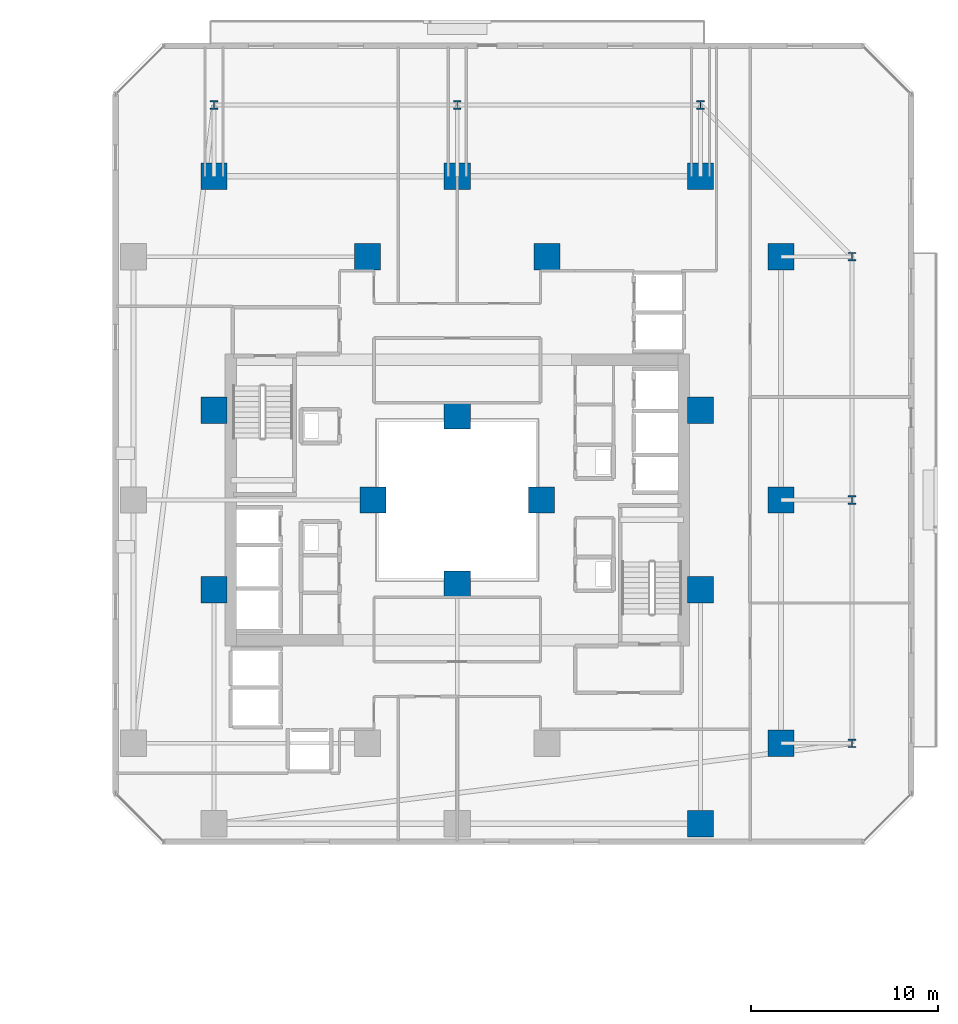
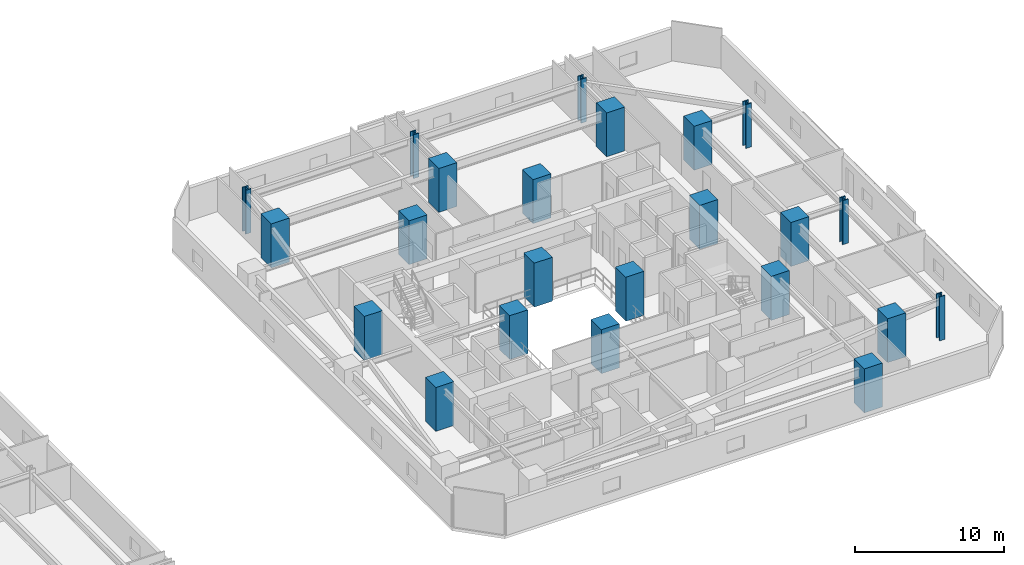
# One storey, part 2 of 36: 23 columns.
"""IFC4 building model written with IfcOpenShell, lengths in metres."""

from ifc_helpers import new_model, si_unit, direction, frame, origin, origin_2d, place, context, subcontext, project, spatial, rectangle, i_section, extrude, material, material_profile, profile_set, type_object, element, save


model = new_model("IFC4")

# Units and contexts
model_context = context("Model", 3, precision=1e-05, world=origin(), true_north=direction((0.0, 1.0)))
body_context = subcontext(model_context, "Body", "Model", "MODEL_VIEW")
ifc_project = project(units=[si_unit("LENGTHUNIT", "METRE"), si_unit("AREAUNIT", "SQUARE_METRE"), si_unit("VOLUMEUNIT", "CUBIC_METRE"), si_unit("PLANEANGLEUNIT", "RADIAN"), si_unit("MASSUNIT", "GRAM", prefix="KILO")], contexts=[model_context])

# Site, building, storey
site_placement = place(None, origin())
site = spatial("IfcSite", under=ifc_project, at=site_placement, CompositionType="ELEMENT")
building_placement = place(site_placement, origin())
building = spatial("IfcBuilding", under=site, at=building_placement, Name="Thornwick Lancets Civic Towers", CompositionType="ELEMENT")
storey_placement = place(building_placement, frame((0.0, 0.0, 68.10009765625)))
storey = spatial("IfcBuildingStorey", under=building, at=storey_placement, Name="L17", CompositionType="ELEMENT", Elevation=68.10009765625)

# Columns
ifc_material_1 = material(Name="Concrete C60/75", Category="concrete")
ifc_material_profile_1 = material_profile(ifc_material_1, rectangle(XDim=1.39990234375, YDim=1.39990234375, at=origin_2d()), Name="RC 1400x1400")
ifc_profile_set_1 = profile_set([ifc_material_profile_1], Name="Concrete C60/75")
column_type_1 = type_object("IfcColumnType", Name="COL_RC_1400", PredefinedType="COLUMN", material=ifc_profile_set_1)
for number, where, z_axis, x_axis, name in (
    (1, (105.800048828125, 14.0, 0.0), (0.0, 0.0, 1.0), (1.0, 0.0, 0.0), "L17 Spine Mega-Column B01"),
    (2, (105.800048828125, 27.0, 0.0), (0.0, 0.0, 1.0), (1.0, 0.0, 0.0), "L17 Spine Mega-Column B02"),
    (3, (105.800048828125, 40.0, 0.0), (0.0, 0.0, 1.0), (1.0, 0.0, 0.0), "L17 Spine Mega-Column B03"),
    (4, (101.5, 44.300048828125, 0.0), (0.0, 0.0, 1.0), (1.0, 0.0, 0.0), "L17 Spine Mega-Column B04"),
    (5, (88.5, 44.300048828125, 0.0), (0.0, 0.0, 1.0), (1.0, 0.0, 0.0), "L17 Spine Mega-Column B05"),
    (6, (75.5, 44.300048828125, 0.0), (0.0, 0.0, 1.0), (1.0, 0.0, 0.0), "L17 Spine Mega-Column B06"),
    (7, (101.5, 9.699951171875, 0.0), (0.0, 0.0, 1.0), (1.0, 0.0, 0.0), "L17 Spine Mega-Column B10"),
    (8, (93.300048828125, 40.0, 0.0), (0.0, 0.0, 1.0), (1.0, 0.0, 0.0), "L17 Spine Mega-Column B14"),
    (9, (83.699951171875, 40.0, 0.0), (0.0, 0.0, 1.0), (1.0, 0.0, 0.0), "L17 Spine Mega-Column B16"),
    (10, (101.5, 22.199951171875, 0.0), (0.0, 0.0, 1.0), (1.0, 0.0, 0.0), "L17 Spine Mega-Column B17"),
    (11, (101.5, 31.800048828125, 0.0), (0.0, 0.0, 1.0), (1.0, 0.0, 0.0), "L17 Spine Mega-Column B18"),
    (12, (75.5, 22.199951171875, 0.0), (0.0, 0.0, 1.0), (1.0, 0.0, 0.0), "L17 Spine Mega-Column B19"),
    (13, (75.5, 31.800048828125, 0.0), (0.0, 0.0, 1.0), (1.0, 0.0, 0.0), "L17 Spine Mega-Column B20"),
    (14, (93.0, 27.0, 0.0), (0.0, 0.0, 1.0), (1.0, 0.0, 0.0), "L17 Spine Mega-Column B21"),
    (15, (84.0, 27.0, 0.0), (0.0, 0.0, 1.0), (1.0, 0.0, 0.0), "L17 Spine Mega-Column B22"),
    (16, (88.5, 22.5, 0.0), (0.0, 0.0, 1.0), (1.0, 0.0, 0.0), "L17 Spine Mega-Column B23"),
    (17, (88.5, 31.5, 0.0), (0.0, 0.0, 1.0), (1.0, 0.0, 0.0), "L17 Spine Mega-Column B24"),
):
    element("IfcColumn", number, at=place(storey_placement, frame(where, z_axis=z_axis, x_axis=x_axis)), inside=storey, type_object=column_type_1, Name=name, PredefinedType="COLUMN", context=body_context, shape_type="SweptSolid", body=[
        extrude(rectangle(XDim=1.39990234375, YDim=1.39990234375, at=origin_2d()), origin(), (0.0, 0.0, 1.0), 3.599853515625),
    ])
ifc_material_2 = material(Name="Steel S460M", Category="steel")
ifc_material_profile_2 = material_profile(ifc_material_2, i_section(OverallWidth=0.424072265625, OverallDepth=0.474609375, WebThickness=0.047607421875, FlangeThickness=0.076904296875, FilletRadius=0.01513671875, at=origin_2d()), Name="UKC 356x406x634")
ifc_profile_set_2 = profile_set([ifc_material_profile_2], Name="Steel S460M")
column_type_2 = type_object("IfcColumnType", Name="COL_UKC_634", PredefinedType="COLUMN", material=ifc_profile_set_2)
for number, where, z_axis, x_axis, name in (
    (18, (109.60009765625, 14.0, 0.0), (0.0, 0.0, 1.0), (1.0, 0.0, 0.0), "L17 Block Perimeter Column B01"),
    (19, (109.60009765625, 27.0, 0.0), (0.0, 0.0, 1.0), (1.0, 0.0, 0.0), "L17 Block Perimeter Column B02"),
    (20, (109.60009765625, 40.0, 0.0), (0.0, 0.0, 1.0), (1.0, 0.0, 0.0), "L17 Block Perimeter Column B03"),
    (21, (101.5, 48.10009765625, 0.0), (0.0, 0.0, 1.0), (1.0, 0.0, 0.0), "L17 Block Perimeter Column B04"),
    (22, (88.5, 48.10009765625, 0.0), (0.0, 0.0, 1.0), (1.0, 0.0, 0.0), "L17 Block Perimeter Column B05"),
    (23, (75.5, 48.10009765625, 0.0), (0.0, 0.0, 1.0), (1.0, 0.0, 0.0), "L17 Block Perimeter Column B06"),
):
    element("IfcColumn", number, at=place(storey_placement, frame(where, z_axis=z_axis, x_axis=x_axis)), inside=storey, type_object=column_type_2, Name=name, PredefinedType="COLUMN", context=body_context, shape_type="SweptSolid", body=[
        extrude(i_section(OverallWidth=0.424072265625, OverallDepth=0.474609375, WebThickness=0.047607421875, FlangeThickness=0.076904296875, FilletRadius=0.01513671875, at=origin_2d()), origin(), (0.0, 0.0, 1.0), 3.599853515625),
    ])

save(model, "model.ifc")
